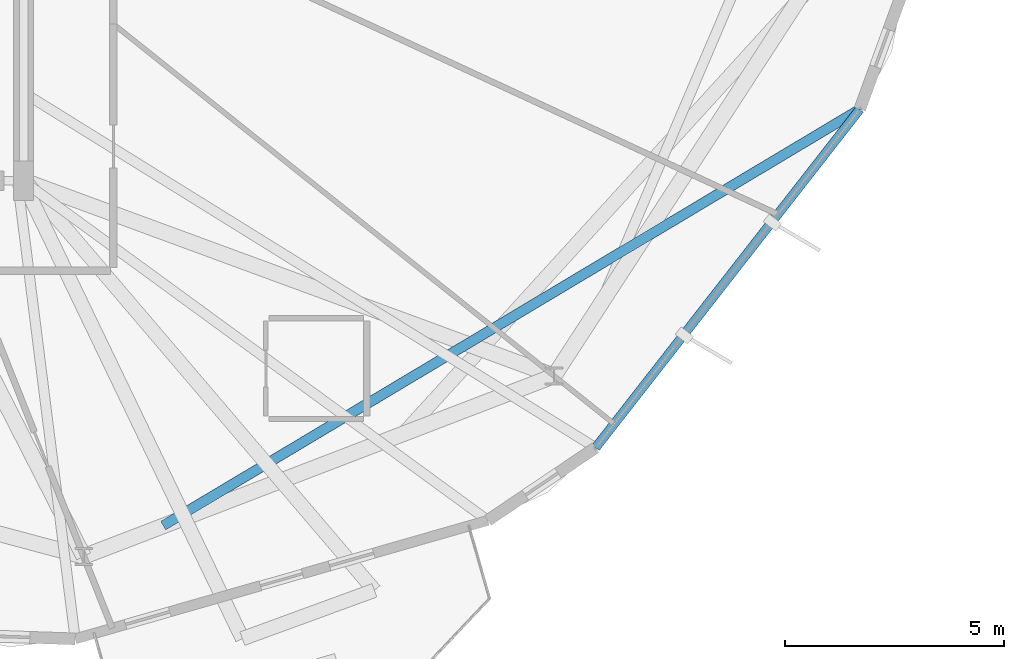
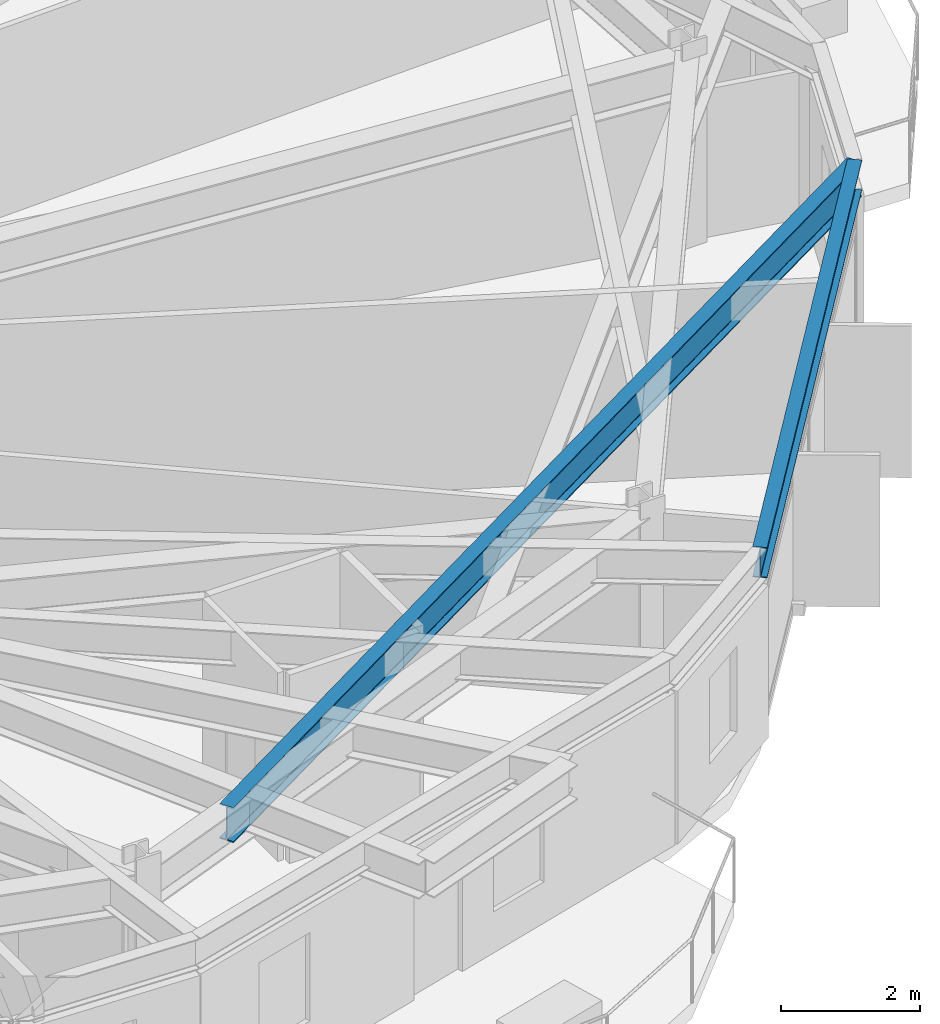
# One storey, part 10 of 30: 2 beams.
"""IFC4 building model written with IfcOpenShell, lengths in metres."""

from ifc_helpers import new_model, si_unit, direction, frame, origin, origin_2d, place, context, subcontext, project, spatial, i_section, extrude, material, material_profile, profile_set, type_object, element, save


model = new_model("IFC4")

# Units and contexts
model_context = context("Model", 3, precision=1e-05, world=origin(), true_north=direction((0.0, 1.0)))
body_context = subcontext(model_context, "Body", "Model", "MODEL_VIEW")
ifc_project = project(units=[si_unit("LENGTHUNIT", "METRE"), si_unit("AREAUNIT", "SQUARE_METRE"), si_unit("VOLUMEUNIT", "CUBIC_METRE"), si_unit("PLANEANGLEUNIT", "RADIAN"), si_unit("MASSUNIT", "GRAM", prefix="KILO")], contexts=[model_context])

# Site, building, storey
site_placement = place(None, origin())
site = spatial("IfcSite", under=ifc_project, at=site_placement, CompositionType="ELEMENT")
building_placement = place(site_placement, origin())
building = spatial("IfcBuilding", under=site, at=building_placement, Name="Soratama Intermodal Tower", CompositionType="ELEMENT")
storey_placement = place(building_placement, frame((0.0, 0.0, 223.0)))
storey = spatial("IfcBuildingStorey", under=building, at=storey_placement, Name="L56", CompositionType="ELEMENT", Elevation=223.0)

# Beams
ifc_material_1 = material(Name="Structural steel ASTM A992 Grade 50", Category="steel")
ifc_material_profile_1 = material_profile(ifc_material_1, i_section(OverallWidth=0.2099609375, OverallDepth=0.537109375, WebThickness=0.010986328125, FlangeThickness=0.017333984375, FilletRadius=0.012939453125, at=origin_2d()), Name="W21X68")
ifc_profile_set_1 = profile_set([ifc_material_profile_1], Name="Structural steel ASTM A992 Grade 50")
beam_type_1 = type_object("IfcBeamType", Name="BM-SPN-W21X68", PredefinedType="SPANDREL", material=ifc_profile_set_1)
beam_1_placement = place(storey_placement, frame((57.653076171875, 8.906005859375, 3.031494140625), z_axis=(0.615345636767, 0.788257411835, 0.0), x_axis=(-0.788257411835, 0.615345636767, 0.0)))
element("IfcBeam", 1, at=beam_1_placement, inside=storey, type_object=beam_type_1, Name="BS-L56-F08", PredefinedType="SPANDREL", context=body_context, shape_type="SweptSolid", body=[
    extrude(i_section(OverallWidth=0.2099609375, OverallDepth=0.537109375, WebThickness=0.010986328125, FlangeThickness=0.017333984375, FilletRadius=0.012939453125, at=origin_2d()), origin(), (0.0, 0.0, 1.0), 9.79736328125),
])
ifc_material_2 = material(Name="Structural steel ASTM A992 Grade 50", Category="steel")
ifc_material_profile_2 = material_profile(ifc_material_2, i_section(OverallWidth=0.22900390625, OverallDepth=0.612060546875, WebThickness=0.011962890625, FlangeThickness=0.01953125, FilletRadius=0.012939453125, at=origin_2d()), Name="W24X84")
ifc_profile_set_2 = profile_set([ifc_material_profile_2], Name="Structural steel ASTM A992 Grade 50")
beam_type_2 = type_object("IfcBeamType", Name="BM-TIE-W24X84", PredefinedType="BEAM", material=ifc_profile_set_2)
beam_2_placement = place(storey_placement, frame((47.784912109375, 7.1279296875, 2.993896484375), z_axis=(0.858377995633, 0.513017754677, 0.0), x_axis=(-0.513017754677, 0.858377995633, 0.0)))
element("IfcBeam", 2, at=beam_2_placement, inside=storey, type_object=beam_type_2, Name="BM-L56-TIE1-08", PredefinedType="BEAM", context=body_context, shape_type="SweptSolid", body=[
    extrude(i_section(OverallWidth=0.22900390625, OverallDepth=0.612060546875, WebThickness=0.011962890625, FlangeThickness=0.01953125, FilletRadius=0.012939453125, at=origin_2d()), origin(), (0.0, 0.0, 1.0), 18.519775390625),
])

save(model, "model.ifc")
